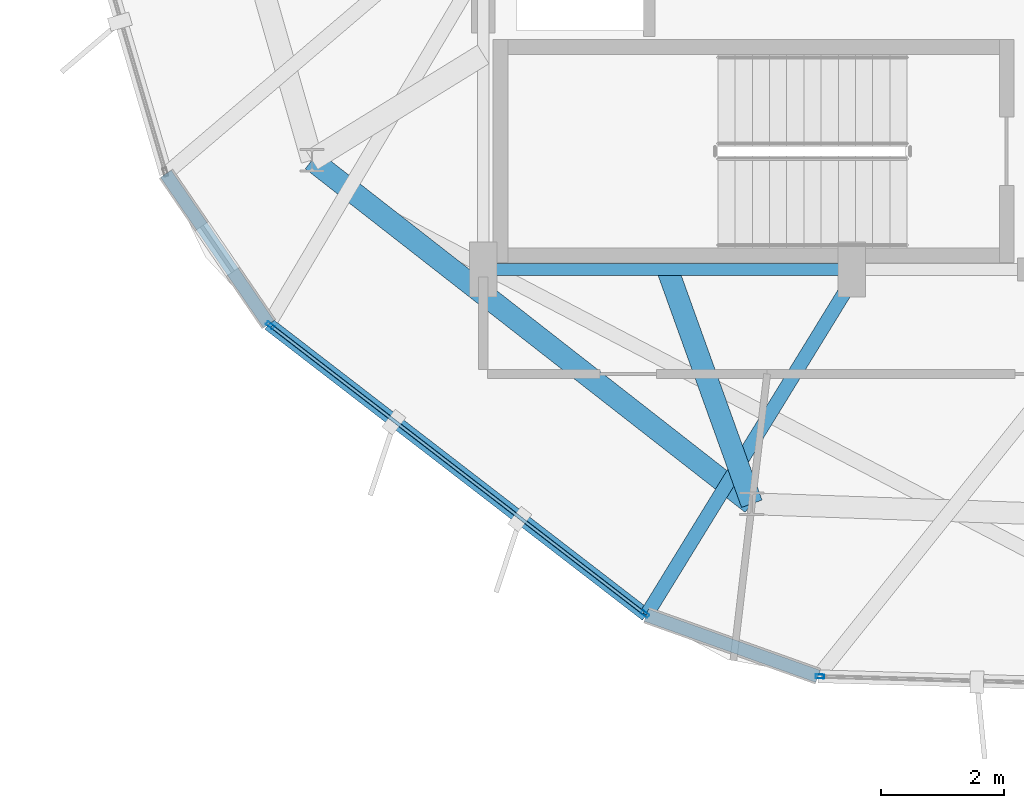
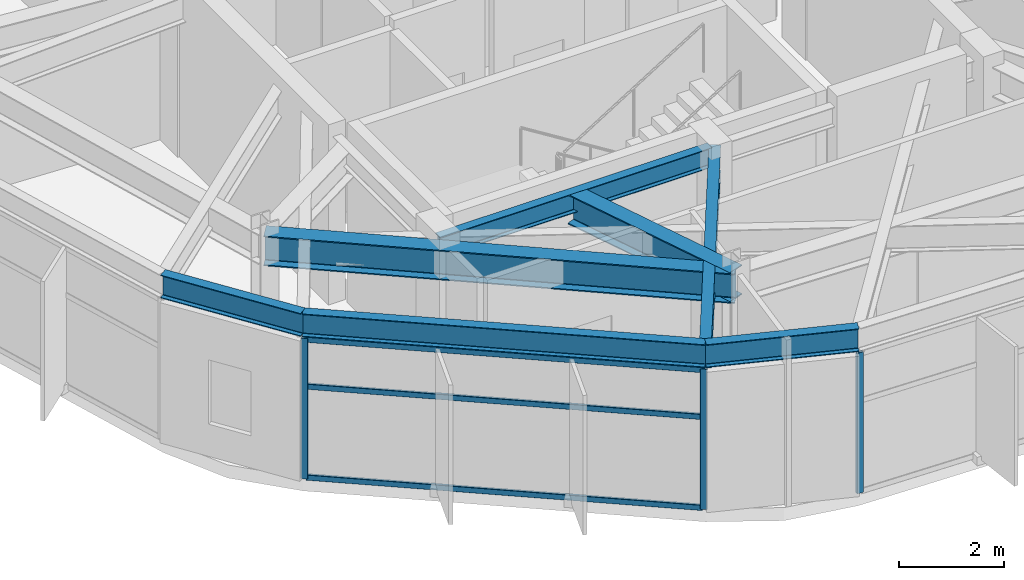
# One storey, part 2 of 20: 7 beams, 6 members, 2 elements without a shape of their own.
"""IFC4 building model written with IfcOpenShell, lengths in metres."""

from ifc_helpers import new_model, si_unit, direction, frame, origin, origin_2d, place, context, subcontext, project, spatial, hollow_rectangle, i_section, extrude, material, layer, layer_set, material_profile, profile_set, type_object, element, aggregate, save


model = new_model("IFC4")

# Units and contexts
model_context = context("Model", 3, precision=1e-05, world=origin(), true_north=direction((0.0, 1.0)))
body_context = subcontext(model_context, "Body", "Model", "MODEL_VIEW")
ifc_project = project(units=[si_unit("LENGTHUNIT", "METRE"), si_unit("AREAUNIT", "SQUARE_METRE"), si_unit("VOLUMEUNIT", "CUBIC_METRE"), si_unit("PLANEANGLEUNIT", "RADIAN"), si_unit("MASSUNIT", "GRAM", prefix="KILO")], contexts=[model_context])

# Site, building, storey
site_placement = place(None, origin())
site = spatial("IfcSite", under=ifc_project, at=site_placement, CompositionType="ELEMENT")
building_placement = place(site_placement, origin())
building = spatial("IfcBuilding", under=site, at=building_placement, Name="Soratama Intermodal Tower", CompositionType="ELEMENT")
storey_placement = place(building_placement, frame((0.0, 0.0, 293.050048828125)))
storey = spatial("IfcBuildingStorey", under=building, at=storey_placement, Name="L74", CompositionType="ELEMENT", Elevation=293.050048828125)

# Beams
ifc_material_1 = material(Name="Structural steel ASTM A992 Grade 50", Category="steel")
ifc_material_profile_1 = material_profile(ifc_material_1, i_section(OverallWidth=0.19091796875, OverallDepth=0.4599609375, WebThickness=0.010009765625, FlangeThickness=0.01611328125, FilletRadius=0.010986328125, at=origin_2d()), Name="W18X55")
ifc_profile_set_1 = profile_set([ifc_material_profile_1], Name="Structural steel ASTM A992 Grade 50")
beam_type_1 = type_object("IfcBeamType", Name="BM-FLR-W18X55", PredefinedType="BEAM", material=ifc_profile_set_1)
beam_1_placement = place(storey_placement, frame((32.60009765625, 15.0, 3.6650390625), z_axis=(1.0, 0.0, 0.0), x_axis=(0.0, 1.0, 0.0)))
element("IfcBeam", 1, at=beam_1_placement, inside=storey, type_object=beam_type_1, Name="BM-L74-CRING-01", PredefinedType="BEAM", context=body_context, shape_type="SweptSolid", body=[
    extrude(i_section(OverallWidth=0.19091796875, OverallDepth=0.4599609375, WebThickness=0.010009765625, FlangeThickness=0.01611328125, FilletRadius=0.010986328125, at=origin_2d()), origin(), (0.0, 0.0, 1.0), 6.0),
])
ifc_material_2 = material(Name="Structural steel ASTM A992 Grade 50", Category="steel")
ifc_material_profile_2 = material_profile(ifc_material_2, i_section(OverallWidth=0.35498046875, OverallDepth=0.695068359375, WebThickness=0.015380859375, FlangeThickness=0.02490234375, FilletRadius=0.01611328125, at=origin_2d()), Name="W27X146")
ifc_profile_set_2 = profile_set([ifc_material_profile_2], Name="Structural steel ASTM A992 Grade 50")
beam_type_2 = type_object("IfcBeamType", Name="BM-RING-W27X146", PredefinedType="BEAM", material=ifc_profile_set_2)
beam_2_placement = place(storey_placement, frame((29.81298828125, 16.780029296875, 3.54736328125), z_axis=(0.78801907717, -0.615650821502, 0.0), x_axis=(0.615650821502, 0.78801907717, 0.0)))
element("IfcBeam", 2, at=beam_2_placement, inside=storey, type_object=beam_type_2, Name="BM-L74-RING-06", PredefinedType="BEAM", context=body_context, shape_type="SweptSolid", body=[
    extrude(i_section(OverallWidth=0.35498046875, OverallDepth=0.695068359375, WebThickness=0.015380859375, FlangeThickness=0.02490234375, FilletRadius=0.01611328125, at=origin_2d()), origin(), (0.0, 0.0, 1.0), 9.084716796875),
])
beam_3_placement = place(storey_placement, frame((35.60009765625, 15.0, 3.54736328125), z_axis=(0.33853385328, -0.940954212586, 0.0), x_axis=(0.940954212586, 0.33853385328, 0.0)))
element("IfcBeam", 3, at=beam_3_placement, inside=storey, type_object=beam_type_2, Name="BM-L74-RAD-07", PredefinedType="BEAM", context=body_context, shape_type="SweptSolid", body=[
    extrude(i_section(OverallWidth=0.35498046875, OverallDepth=0.695068359375, WebThickness=0.015380859375, FlangeThickness=0.02490234375, FilletRadius=0.01611328125, at=origin_2d()), origin(), (0.0, 0.0, 1.0), 4.05224609375),
])
ifc_material_3 = material(Name="Structural steel ASTM A992 Grade 50", Category="steel")
ifc_material_profile_3 = material_profile(ifc_material_3, i_section(OverallWidth=0.2099609375, OverallDepth=0.537109375, WebThickness=0.010986328125, FlangeThickness=0.017333984375, FilletRadius=0.012939453125, at=origin_2d()), Name="W21X68")
ifc_profile_set_3 = profile_set([ifc_material_profile_3], Name="Structural steel ASTM A992 Grade 50")
beam_type_3 = type_object("IfcBeamType", Name="BM-SPN-W21X68", PredefinedType="SPANDREL", material=ifc_profile_set_3)
beam_4_placement = place(storey_placement, frame((27.43505859375, 16.55810546875, 3.62646484375), z_axis=(0.564707520354, -0.825291110128, 0.0), x_axis=(0.825291110128, 0.564707520354, 0.0)))
element("IfcBeam", 4, at=beam_4_placement, inside=storey, type_object=beam_type_3, Name="BS-L74-CRN04", PredefinedType="SPANDREL", context=body_context, shape_type="SweptSolid", body=[
    extrude(i_section(OverallWidth=0.2099609375, OverallDepth=0.537109375, WebThickness=0.010986328125, FlangeThickness=0.017333984375, FilletRadius=0.012939453125, at=origin_2d()), origin(), (0.0, 0.0, 1.0), 2.96630859375),
])
beam_5_placement = place(storey_placement, frame((29.110107421875, 14.110107421875, 3.62646484375), z_axis=(0.792042213395, -0.610466323559, 0.0), x_axis=(0.610466323559, 0.792042213395, 0.0)))
element("IfcBeam", 5, at=beam_5_placement, inside=storey, type_object=beam_type_3, Name="BS-L74-F05", PredefinedType="SPANDREL", context=body_context, shape_type="SweptSolid", body=[
    extrude(i_section(OverallWidth=0.2099609375, OverallDepth=0.537109375, WebThickness=0.010986328125, FlangeThickness=0.017333984375, FilletRadius=0.012939453125, at=origin_2d()), origin(), (0.0, 0.0, 1.0), 7.758056640625),
])
beam_6_placement = place(storey_placement, frame((35.2548828125, 9.3740234375, 3.62646484375), z_axis=(0.94193726439, -0.335788906834, 0.0), x_axis=(0.335788906834, 0.94193726439, 0.0)))
element("IfcBeam", 6, at=beam_6_placement, inside=storey, type_object=beam_type_3, Name="BS-L74-CRN05", PredefinedType="SPANDREL", context=body_context, shape_type="SweptSolid", body=[
    extrude(i_section(OverallWidth=0.2099609375, OverallDepth=0.537109375, WebThickness=0.010986328125, FlangeThickness=0.017333984375, FilletRadius=0.012939453125, at=origin_2d()), origin(), (0.0, 0.0, 1.0), 2.96630859375),
])
ifc_material_4 = material(Name="Structural steel ASTM A992 Grade 50", Category="steel")
ifc_material_profile_4 = material_profile(ifc_material_4, i_section(OverallWidth=0.22900390625, OverallDepth=0.612060546875, WebThickness=0.011962890625, FlangeThickness=0.01953125, FilletRadius=0.012939453125, at=origin_2d()), Name="W24X84")
ifc_profile_set_4 = profile_set([ifc_material_profile_4], Name="Structural steel ASTM A992 Grade 50")
beam_type_4 = type_object("IfcBeamType", Name="BM-TIE-W24X84", PredefinedType="BEAM", material=ifc_profile_set_4)
beam_7_placement = place(storey_placement, frame((38.69091796875, 14.966064453125, 3.5888671875), z_axis=(-0.523520342027, -0.852013175652, 0.0), x_axis=(0.852013175652, -0.523520342027, 0.0)))
element("IfcBeam", 7, at=beam_7_placement, inside=storey, type_object=beam_type_4, Name="BM-L74-TIE1-05", PredefinedType="BEAM", context=body_context, shape_type="SweptSolid", body=[
    extrude(i_section(OverallWidth=0.22900390625, OverallDepth=0.612060546875, WebThickness=0.011962890625, FlangeThickness=0.01953125, FilletRadius=0.012939453125, at=origin_2d()), origin(), (0.0, 0.0, 1.0), 6.563232421875),
])

# Curtain wall, members
ifc_material_5 = material(Name="Double-glazed aluminium curtain wall", Category="aluminium")
ifc_layer = layer(ifc_material_5, 0.159912109375)
ifc_layer_set = layer_set([ifc_layer], Name="Double-glazed aluminium curtain wall")
curtain_wall_type = type_object("IfcCurtainWallType", Name="CW-SYS-6", PredefinedType="NOTDEFINED", material=ifc_layer_set)
curtain_wall_1_placement = place(storey_placement, origin())
curtain_wall_1 = element("IfcCurtainWall", 8, at=curtain_wall_1_placement, inside=storey, type_object=curtain_wall_type, Name="L74 Faceted Curtain Wall F05", PredefinedType="NOTDEFINED")
ifc_material_6 = material(Name="Anodised aluminium AA 6063-T6", Category="aluminium")
ifc_material_profile_5 = material_profile(ifc_material_6, hollow_rectangle(XDim=0.06494140625, YDim=0.139892578125, WallThickness=0.0048828125, InnerFilletRadius=0.0048828125, OuterFilletRadius=0.010009765625, at=origin_2d()), Name="CWM140X65X5")
ifc_profile_set_5 = profile_set([ifc_material_profile_5], Name="Anodised aluminium AA 6063-T6")
member_type_1 = type_object("IfcMemberType", Name="MT-CWM-6", PredefinedType="MULLION", material=ifc_profile_set_5)
member_1_placement = place(storey_placement, frame((29.133544921875, 14.09130859375, 0.0), z_axis=(0.0, 0.0, 1.0), x_axis=(0.61042127444, 0.79207693295, 0.0)))
member_1 = element("IfcMember", 9, at=member_1_placement, type_object=member_type_1, Name="CW-6 mullion 1", PredefinedType="MULLION", context=body_context, shape_type="SweptSolid", body=[
    extrude(hollow_rectangle(XDim=0.06494140625, YDim=0.139892578125, WallThickness=0.0048828125, InnerFilletRadius=0.0048828125, OuterFilletRadius=0.010009765625, at=origin_2d()), origin(), (0.0, 0.0, 1.0), 3.27392578125),
])
member_2_placement = place(storey_placement, frame((35.231201171875, 9.392333984375, 0.0), z_axis=(0.0, 0.0, 1.0), x_axis=(0.61042127444, 0.79207693295, 0.0)))
member_2 = element("IfcMember", 10, at=member_2_placement, type_object=member_type_1, Name="CW-6 mullion 2", PredefinedType="MULLION", context=body_context, shape_type="SweptSolid", body=[
    extrude(hollow_rectangle(XDim=0.06494140625, YDim=0.139892578125, WallThickness=0.0048828125, InnerFilletRadius=0.0048828125, OuterFilletRadius=0.010009765625, at=origin_2d()), origin(), (0.0, 0.0, 1.0), 3.27392578125),
])

# Curtain wall, member
curtain_wall_2_placement = place(storey_placement, origin())
curtain_wall_2 = element("IfcCurtainWall", 11, at=curtain_wall_2_placement, inside=storey, type_object=curtain_wall_type, Name="L74 Faceted Curtain Wall F06", PredefinedType="NOTDEFINED")
member_3_placement = place(storey_placement, frame((38.079345703125, 8.376953125, 0.0), z_axis=(0.0, 0.0, 1.0), x_axis=(0.028280109381, 0.999600037722, 0.0)))
member_3 = element("IfcMember", 12, at=member_3_placement, type_object=member_type_1, Name="CW-6 mullion 1", PredefinedType="MULLION", context=body_context, shape_type="SweptSolid", body=[
    extrude(hollow_rectangle(XDim=0.06494140625, YDim=0.139892578125, WallThickness=0.0048828125, InnerFilletRadius=0.0048828125, OuterFilletRadius=0.010009765625, at=origin_2d()), origin(), (0.0, 0.0, 1.0), 3.27392578125),
])
aggregate(curtain_wall_2, [member_3])

# Member
ifc_material_7 = material(Name="Anodised aluminium AA 6063-T6", Category="aluminium")
ifc_material_profile_6 = material_profile(ifc_material_7, hollow_rectangle(XDim=0.06005859375, YDim=0.1298828125, WallThickness=0.0048828125, InnerFilletRadius=0.0048828125, OuterFilletRadius=0.010009765625, at=origin_2d()), Name="CWT130X60X5")
ifc_profile_set_6 = profile_set([ifc_material_profile_6], Name="Anodised aluminium AA 6063-T6")
member_type_2 = type_object("IfcMemberType", Name="TT-CWT-2", PredefinedType="USERDEFINED", material=ifc_profile_set_6)
member_4_placement = place(storey_placement, frame((29.157470703125, 14.072998046875, 0.030029296875), z_axis=(0.792075879162, -0.610422641822, 0.0), x_axis=(0.610422641822, 0.792075879162, 0.0)))
member_4 = element("IfcMember", 13, at=member_4_placement, type_object=member_type_2, Name="CW-6 transom 1.1", ObjectType="TRANSOM", PredefinedType="USERDEFINED", context=body_context, shape_type="SweptSolid", body=[
    extrude(hollow_rectangle(XDim=0.06005859375, YDim=0.1298828125, WallThickness=0.0048828125, InnerFilletRadius=0.0048828125, OuterFilletRadius=0.010009765625, at=origin_2d()), origin(), (0.0, 0.0, 1.0), 7.637939453125),
])

member_5_placement = place(storey_placement, frame((29.157470703125, 14.072998046875, 2.14990234375), z_axis=(0.792075879162, -0.610422641822, 0.0), x_axis=(0.610422641822, 0.792075879162, 0.0)))
member_5 = element("IfcMember", 14, at=member_5_placement, type_object=member_type_2, Name="CW-6 transom 1.2", ObjectType="TRANSOM", PredefinedType="USERDEFINED", context=body_context, shape_type="SweptSolid", body=[
    extrude(hollow_rectangle(XDim=0.06005859375, YDim=0.1298828125, WallThickness=0.0048828125, InnerFilletRadius=0.0048828125, OuterFilletRadius=0.010009765625, at=origin_2d()), origin(), (0.0, 0.0, 1.0), 7.637939453125),
])

member_6_placement = place(storey_placement, frame((29.157470703125, 14.072998046875, 3.243896484375), z_axis=(0.792075879162, -0.610422641822, 0.0), x_axis=(0.610422641822, 0.792075879162, 0.0)))
member_6 = element("IfcMember", 15, at=member_6_placement, type_object=member_type_2, Name="CW-6 transom 1.3", ObjectType="TRANSOM", PredefinedType="USERDEFINED", context=body_context, shape_type="SweptSolid", body=[
    extrude(hollow_rectangle(XDim=0.06005859375, YDim=0.1298828125, WallThickness=0.0048828125, InnerFilletRadius=0.0048828125, OuterFilletRadius=0.010009765625, at=origin_2d()), origin(), (0.0, 0.0, 1.0), 7.637939453125),
])

aggregate(curtain_wall_1, [member_1, member_2, member_4, member_5, member_6])

save(model, "model.ifc")
